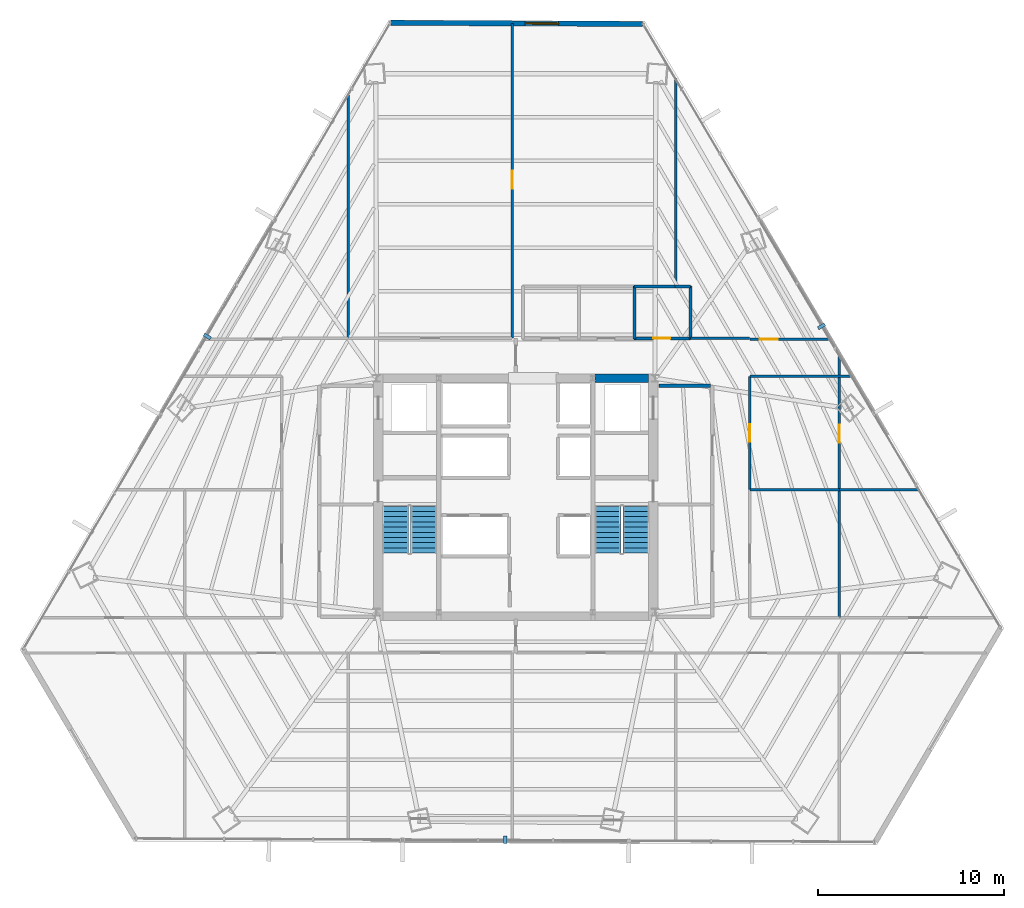
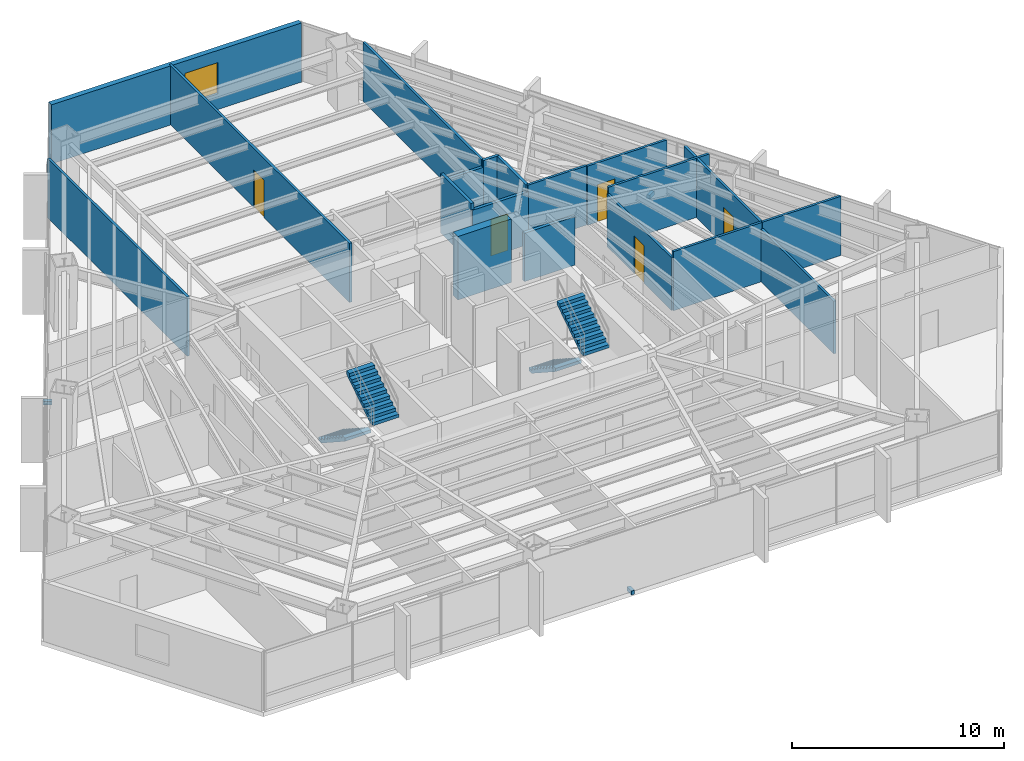
# One storey, part 32 of 35: 19 walls, 5 doors, 4 stair flights, 3 discrete accessories, 1 window, 6 openings, 2 elements without a shape of their own.
"""IFC4 building model written with IfcOpenShell, lengths in metres."""

from ifc_helpers import new_model, si_unit, direction, frame, frame_2d, origin, origin_2d, place, context, subcontext, project, spatial, polyline, rectangle, outline, extrude, source, transform, mapped, material, layer, layer_set, type_object, type_shapes, element, fill, aggregate, save


model = new_model("IFC4")

# Units and contexts
model_context = context("Model", 3, precision=1e-05, world=origin(), true_north=direction((0.0, 1.0)))
body_context = subcontext(model_context, "Body", "Model", "MODEL_VIEW")
ifc_project = project(units=[si_unit("LENGTHUNIT", "METRE"), si_unit("AREAUNIT", "SQUARE_METRE"), si_unit("VOLUMEUNIT", "CUBIC_METRE"), si_unit("PLANEANGLEUNIT", "RADIAN"), si_unit("MASSUNIT", "GRAM", prefix="KILO")], contexts=[model_context])

# Site, building, storey
site_placement = place(None, origin())
site = spatial("IfcSite", under=ifc_project, at=site_placement, CompositionType="ELEMENT")
building_placement = place(site_placement, origin())
building = spatial("IfcBuilding", under=site, at=building_placement, Name="Caelisora Broadcast Tower", CompositionType="ELEMENT")
storey_placement = place(building_placement, frame((0.0, 0.0, 98.10009765625)))
storey = spatial("IfcBuildingStorey", under=building, at=storey_placement, Name="L25", CompositionType="ELEMENT", Elevation=98.10009765625)

# Wall
ifc_material_1 = material(Name="Concrete 50 MPa (AS 3600 S50)", Category="concrete")
ifc_layer_1 = layer(ifc_material_1, 0.449951171875, Name="Concrete 50 MPa (AS 3600 S50)")
ifc_layer_set_1 = layer_set([ifc_layer_1], Name="Concrete 50 MPa (AS 3600 S50)")
wall_type_1 = type_object("IfcWallType", Name="CW5", PredefinedType="SHEAR", material=ifc_layer_set_1)
wall_1_placement = place(storey_placement, frame((42.260009765625, 30.0, 0.0), z_axis=(0.0, 0.0, 1.0), x_axis=(1.0, 0.0, 0.0)))
element("IfcWall", 1, at=wall_1_placement, inside=storey, type_object=wall_type_1, Name="L25 core shear wall CW5", PredefinedType="SHEAR", context=body_context, shape_type="SweptSolid", body=[
    extrude(rectangle(XDim=2.89990234375, YDim=0.449951171875, at=frame_2d((1.449951171875, 0.0))), origin(), (0.0, 0.0, 1.0), 3.64990234375),
])

# Wall, opening, window
ifc_material_2 = material(Name="Insulated Terracotta Spandrel Wall System", Category="masonry")
ifc_layer_2 = layer(ifc_material_2, 0.280029296875, Name="Insulated Terracotta Spandrel Wall System")
ifc_layer_set_2 = layer_set([ifc_layer_2], Name="Insulated Terracotta Spandrel Wall System")
wall_type_2 = type_object("IfcWallType", Name="EW1", PredefinedType="STANDARD", material=ifc_layer_set_2)
wall_2_placement = place(storey_placement, frame((31.27587890625, 49.14697265625, 0.0), z_axis=(0.0, 0.0, 1.0), x_axis=(0.999989206879, -0.004646087077, 0.0)))
wall_2 = element("IfcWall", 2, at=wall_2_placement, inside=storey, type_object=wall_type_2, Name="L25 exterior envelope wall EW1", PredefinedType="STANDARD", context=body_context, shape_type="SweptSolid", body=[
    extrude(rectangle(XDim=13.557373046875, YDim=0.280029296875, at=frame_2d((6.77880859375, 0.0))), origin(), (0.0, 0.0, 1.0), 3.39990234375),
])
opening_1_placement = place(wall_2_placement, frame((7.22998046875, 0.0, 0.89990234375)))
opening_1 = element("IfcOpeningElement", 3, at=opening_1_placement, cuts=wall_2, Name="Opening W01", PredefinedType="OPENING", context=body_context, shape_type="SweptSolid", body=[
    extrude(rectangle(XDim=1.800048828125, YDim=1.800048828125, at=frame_2d((0.89990234375, 0.89990234375))), frame((0.0, 0.152099609375, 0.0), z_axis=(0.0, -1.0, 0.0), x_axis=(1.0, 0.0, 0.0)), (0.0, 0.0, 1.0), 0.303955078125),
])
ifc_material_3 = material(Name="Double Glazed Terracotta-Framed Vision Window", Category="glass")
window_type = type_object("IfcWindowType", Name="W01", PartitioningType="SINGLE_PANEL", PredefinedType="WINDOW", material=ifc_material_3)
window_placement = place(opening_1_placement, origin())
window = element("IfcWindow", 4, at=window_placement, inside=storey, type_object=window_type, Name="L25 window W01 (L25-WN-CH8)", OverallHeight=1.800048828125, OverallWidth=1.800048828125, PartitioningType="SINGLE_PANEL", PredefinedType="WINDOW", context=body_context, shape_type="SweptSolid", body=[
    extrude(rectangle(XDim=1.800048828125, YDim=1.800048828125, at=frame_2d((0.89990234375, 0.89990234375))), frame((0.0, 0.030029296875, 0.0), z_axis=(0.0, -1.0, 0.0), x_axis=(1.0, 0.0, 0.0)), (0.0, 0.0, 1.0), 0.06005859375),
])
fill(opening_1, window)

# Wall
ifc_material_4 = material(Name="Fire-Rated Gypsum Shaft and Compartment Wall", Category="gypsum")
ifc_layer_3 = layer(ifc_material_4, 0.179931640625, Name="Fire-Rated Gypsum Shaft and Compartment Wall")
ifc_layer_set_3 = layer_set([ifc_layer_3], Name="Fire-Rated Gypsum Shaft and Compartment Wall")
wall_type_3 = type_object("IfcWallType", Name="PW2", PredefinedType="PARTITIONING", material=ifc_layer_set_3)
wall_3_placement = place(storey_placement, frame((45.719970703125, 29.60009765625, 0.0), z_axis=(0.0, 0.0, 1.0), x_axis=(1.0, 0.0, 0.0)))
element("IfcWall", 5, at=wall_3_placement, inside=storey, type_object=wall_type_3, Name="L25 fire compartment wall PW2", PredefinedType="PARTITIONING", context=body_context, shape_type="SweptSolid", body=[
    extrude(rectangle(XDim=2.760009765625, YDim=0.179931640625, at=frame_2d((1.3798828125, 0.0))), origin(), (0.0, 0.0, 1.0), 2.78271484375),
])

# Wall, opening, door
ifc_material_5 = material(Name="Acoustic Steel-Stud Plasterboard Partition", Category="gypsum")
ifc_layer_4 = layer(ifc_material_5, 0.1298828125, Name="Acoustic Steel-Stud Plasterboard Partition")
ifc_layer_set_4 = layer_set([ifc_layer_4], Name="Acoustic Steel-Stud Plasterboard Partition")
wall_type_4 = type_object("IfcWallType", Name="PW3", PredefinedType="PARTITIONING", material=ifc_layer_set_4)
wall_4_placement = place(storey_placement, frame((37.800048828125, 32.155029296875, 0.0), z_axis=(0.0, 0.0, 1.0), x_axis=(0.0, 1.0, 0.0)))
wall_4 = element("IfcWall", 6, at=wall_4_placement, inside=storey, type_object=wall_type_4, Name="L25 internal partition PW3", PredefinedType="PARTITIONING", context=body_context, shape_type="SweptSolid", body=[
    extrude(rectangle(XDim=16.966552734375, YDim=0.1298828125, at=frame_2d((8.4833984375, 0.0))), origin(), (0.0, 0.0, 1.0), 3.39990234375),
])
opening_2_placement = place(wall_4_placement, frame((8.052001953125, 0.0, 0.0)))
opening_2 = element("IfcOpeningElement", 7, at=opening_2_placement, cuts=wall_4, Name="Opening D01", PredefinedType="OPENING", context=body_context, shape_type="SweptSolid", body=[
    extrude(rectangle(XDim=0.9599609375, YDim=2.14990234375, at=frame_2d((0.47998046875, 1.074951171875))), frame((0.0, 0.076904296875, 0.0), z_axis=(0.0, -1.0, 0.0), x_axis=(1.0, 0.0, 0.0)), (0.0, 0.0, 1.0), 0.15380859375),
])
ifc_material_6 = material(Name="Solid-Core Timber Acoustic Office Door", Category="wood")
door_type_1 = type_object("IfcDoorType", Name="D01", OperationType="NOTDEFINED", PredefinedType="DOOR", material=ifc_material_6)
door_1_placement = place(opening_2_placement, origin())
door_1 = element("IfcDoor", 8, at=door_1_placement, inside=storey, type_object=door_type_1, Name="L25 door D01 (L25-DR-P27D1)", OperationType="SINGLE_SWING_RIGHT", OverallHeight=2.14990234375, OverallWidth=0.9599609375, PredefinedType="DOOR", context=body_context, shape_type="SweptSolid", body=[
    extrude(rectangle(XDim=0.9599609375, YDim=2.14990234375, at=frame_2d((0.47998046875, 1.074951171875))), frame((0.0, 0.02490234375, 0.0), z_axis=(0.0, -1.0, 0.0), x_axis=(1.0, 0.0, 0.0)), (0.0, 0.0, 1.0), 0.050048828125),
])
fill(opening_2, door_1)

# Walls
wall_5_placement = place(storey_placement, frame((28.97998046875, 32.155029296875, 0.0), z_axis=(0.0, 0.0, 1.0), x_axis=(0.0, 1.0, 0.0)))
element("IfcWall", 9, at=wall_5_placement, inside=storey, type_object=wall_type_4, Name="L25 internal partition PW3", PredefinedType="PARTITIONING", context=body_context, shape_type="SweptSolid", body=[
    extrude(rectangle(XDim=13.1337890625, YDim=0.1298828125, at=frame_2d((6.56689453125, 0.0))), origin(), (0.0, 0.0, 1.0), 3.39990234375),
])
wall_6_placement = place(storey_placement, frame((46.610107421875, 34.955078125, 0.0), z_axis=(0.0, 0.0, 1.0), x_axis=(0.0, 1.0, 0.0)))
element("IfcWall", 10, at=wall_6_placement, inside=storey, type_object=wall_type_4, Name="L25 internal partition PW3", PredefinedType="PARTITIONING", context=body_context, shape_type="SweptSolid", body=[
    extrude(rectangle(XDim=11.188232421875, YDim=0.1298828125, at=frame_2d((5.59423828125, 0.0))), origin(), (0.0, 0.0, 1.0), 3.39990234375),
])
wall_7_placement = place(storey_placement, frame((55.429931640625, 17.10498046875, 0.0), z_axis=(0.0, 0.0, 1.0), x_axis=(0.0, 1.0, 0.0)))
element("IfcWall", 11, at=wall_7_placement, inside=storey, type_object=wall_type_4, Name="L25 internal partition PW3", PredefinedType="PARTITIONING", context=body_context, shape_type="SweptSolid", body=[
    extrude(rectangle(XDim=6.89013671875, YDim=0.1298828125, at=frame_2d((3.445068359375, 0.0))), origin(), (0.0, 0.0, 1.0), 3.0263671875),
])

# Wall, opening, door
wall_8_placement = place(storey_placement, frame((50.60009765625, 24.0048828125, 0.0), z_axis=(0.0, 0.0, 1.0), x_axis=(0.0, 1.0, 0.0)))
wall_8 = element("IfcWall", 12, at=wall_8_placement, inside=storey, type_object=wall_type_4, Name="L25 internal partition PW3", PredefinedType="PARTITIONING", context=body_context, shape_type="SweptSolid", body=[
    extrude(rectangle(XDim=6.090087890625, YDim=0.1298828125, at=frame_2d((3.044921875, 0.0))), origin(), (0.0, 0.0, 1.0), 3.0263671875),
])
opening_3_placement = place(wall_8_placement, frame((2.56494140625, 0.0, 0.0)))
opening_3 = element("IfcOpeningElement", 13, at=opening_3_placement, cuts=wall_8, Name="Opening D01", PredefinedType="OPENING", context=body_context, shape_type="SweptSolid", body=[
    extrude(rectangle(XDim=0.9599609375, YDim=2.14990234375, at=frame_2d((0.47998046875, 1.074951171875))), frame((0.0, 0.076904296875, 0.0), z_axis=(0.0, -1.0, 0.0), x_axis=(1.0, 0.0, 0.0)), (0.0, 0.0, 1.0), 0.15380859375),
])
door_2_placement = place(opening_3_placement, origin())
door_2 = element("IfcDoor", 14, at=door_2_placement, inside=storey, type_object=door_type_1, Name="L25 door D01 (L25-DR-P49D1)", OperationType="SINGLE_SWING_LEFT", OverallHeight=2.14990234375, OverallWidth=0.9599609375, PredefinedType="DOOR", context=body_context, shape_type="SweptSolid", body=[
    extrude(rectangle(XDim=0.9599609375, YDim=2.14990234375, at=frame_2d((0.47998046875, 1.074951171875))), frame((0.0, 0.02490234375, 0.0), z_axis=(0.0, -1.0, 0.0), x_axis=(1.0, 0.0, 0.0)), (0.0, 0.0, 1.0), 0.050048828125),
])
fill(opening_3, door_2)

wall_9_placement = place(storey_placement, frame((55.429931640625, 24.0048828125, 0.0), z_axis=(0.0, 0.0, 1.0), x_axis=(0.0, 1.0, 0.0)))
wall_9 = element("IfcWall", 15, at=wall_9_placement, inside=storey, type_object=wall_type_4, Name="L25 internal partition PW3", PredefinedType="PARTITIONING", context=body_context, shape_type="SweptSolid", body=[
    extrude(rectangle(XDim=7.2080078125, YDim=0.1298828125, at=frame_2d((3.60400390625, 0.0))), origin(), (0.0, 0.0, 1.0), 3.39990234375),
])
opening_4_placement = place(wall_9_placement, frame((2.52001953125, 0.0, 0.0)))
opening_4 = element("IfcOpeningElement", 16, at=opening_4_placement, cuts=wall_9, Name="Opening D01", PredefinedType="OPENING", context=body_context, shape_type="SweptSolid", body=[
    extrude(rectangle(XDim=0.9599609375, YDim=2.14990234375, at=frame_2d((0.47998046875, 1.074951171875))), frame((0.0, 0.076904296875, 0.0), z_axis=(0.0, -1.0, 0.0), x_axis=(1.0, 0.0, 0.0)), (0.0, 0.0, 1.0), 0.15380859375),
])
door_3_placement = place(opening_4_placement, origin())
door_3 = element("IfcDoor", 17, at=door_3_placement, inside=storey, type_object=door_type_1, Name="L25 door D01 (L25-DR-P50D1)", OperationType="SINGLE_SWING_RIGHT", OverallHeight=2.14990234375, OverallWidth=0.9599609375, PredefinedType="DOOR", context=body_context, shape_type="SweptSolid", body=[
    extrude(rectangle(XDim=0.9599609375, YDim=2.14990234375, at=frame_2d((0.47998046875, 1.074951171875))), frame((0.0, 0.02490234375, 0.0), z_axis=(0.0, -1.0, 0.0), x_axis=(1.0, 0.0, 0.0)), (0.0, 0.0, 1.0), 0.050048828125),
])
fill(opening_4, door_3)

# Walls
wall_10_placement = place(storey_placement, frame((50.60498046875, 30.10009765625, 0.0), z_axis=(0.0, 0.0, 1.0), x_axis=(1.0, 0.0, 0.0)))
element("IfcWall", 18, at=wall_10_placement, inside=storey, type_object=wall_type_4, Name="L25 internal partition PW3", PredefinedType="PARTITIONING", context=body_context, shape_type="SweptSolid", body=[
    extrude(rectangle(XDim=5.4755859375, YDim=0.1298828125, at=frame_2d((2.73779296875, 0.0))), origin(), (0.0, 0.0, 1.0), 3.39990234375),
])
wall_11_placement = place(storey_placement, frame((50.60498046875, 24.0, 0.0), z_axis=(0.0, 0.0, 1.0), x_axis=(1.0, 0.0, 0.0)))
element("IfcWall", 19, at=wall_11_placement, inside=storey, type_object=wall_type_4, Name="L25 internal partition PW3", PredefinedType="PARTITIONING", context=body_context, shape_type="SweptSolid", body=[
    extrude(rectangle(XDim=4.820068359375, YDim=0.1298828125, at=frame_2d((2.41015625, 0.0))), origin(), (0.0, 0.0, 1.0), 3.39990234375),
])

# Wall, opening, door
wall_12_placement = place(storey_placement, frame((50.60498046875, 32.10009765625, 0.0), z_axis=(0.0, 0.0, 1.0), x_axis=(1.0, 0.0, 0.0)))
wall_12 = element("IfcWall", 20, at=wall_12_placement, inside=storey, type_object=wall_type_4, Name="L25 internal partition PW3", PredefinedType="PARTITIONING", context=body_context, shape_type="SweptSolid", body=[
    extrude(rectangle(XDim=4.317626953125, YDim=0.1298828125, at=frame_2d((2.15869140625, 0.0))), origin(), (0.0, 0.0, 1.0), 3.39990234375),
])
opening_5_placement = place(wall_12_placement, frame((0.5400390625, 0.0, 0.0)))
opening_5 = element("IfcOpeningElement", 21, at=opening_5_placement, cuts=wall_12, Name="Opening D01", PredefinedType="OPENING", context=body_context, shape_type="SweptSolid", body=[
    extrude(rectangle(XDim=0.9599609375, YDim=2.14990234375, at=frame_2d((0.47998046875, 1.074951171875))), frame((0.0, 0.076904296875, 0.0), z_axis=(0.0, -1.0, 0.0), x_axis=(1.0, 0.0, 0.0)), (0.0, 0.0, 1.0), 0.15380859375),
])
door_4_placement = place(opening_5_placement, origin())
door_4 = element("IfcDoor", 22, at=door_4_placement, inside=storey, type_object=door_type_1, Name="L25 door D01 (L25-DR-P57D1)", OperationType="SINGLE_SWING_LEFT", OverallHeight=2.14990234375, OverallWidth=0.9599609375, PredefinedType="DOOR", context=body_context, shape_type="SweptSolid", body=[
    extrude(rectangle(XDim=0.9599609375, YDim=2.14990234375, at=frame_2d((0.47998046875, 1.074951171875))), frame((0.0, 0.02490234375, 0.0), z_axis=(0.0, -1.0, 0.0), x_axis=(1.0, 0.0, 0.0)), (0.0, 0.0, 1.0), 0.050048828125),
])
fill(opening_5, door_4)

# Walls
wall_13_placement = place(storey_placement, frame((55.43505859375, 24.0, 0.0), z_axis=(0.0, 0.0, 1.0), x_axis=(1.0, 0.0, 0.0)))
element("IfcWall", 23, at=wall_13_placement, inside=storey, type_object=wall_type_4, Name="L25 internal partition PW3", PredefinedType="PARTITIONING", context=body_context, shape_type="SweptSolid", body=[
    extrude(rectangle(XDim=4.281982421875, YDim=0.1298828125, at=frame_2d((2.14111328125, 0.0))), origin(), (0.0, 0.0, 1.0), 3.39990234375),
])
wall_14_placement = place(storey_placement, frame((47.405029296875, 32.14990234375, 0.0), z_axis=(0.0, 0.0, 1.0), x_axis=(1.0, 0.0, 0.0)))
element("IfcWall", 24, at=wall_14_placement, inside=storey, type_object=wall_type_4, Name="L25 internal partition PW3", PredefinedType="PARTITIONING", context=body_context, shape_type="SweptSolid", body=[
    extrude(rectangle(XDim=3.18994140625, YDim=0.1298828125, at=frame_2d((1.594970703125, 0.0))), origin(), (0.0, 0.0, 1.0), 3.39990234375),
])

# Wall, opening, door
ifc_material_7 = material(Name="Moisture-Resistant Wet Plumbing Service Wall", Category="gypsum")
ifc_layer_5 = layer(ifc_material_7, 0.159912109375, Name="Moisture-Resistant Wet Plumbing Service Wall")
ifc_layer_set_5 = layer_set([ifc_layer_5], Name="Moisture-Resistant Wet Plumbing Service Wall")
wall_type_5 = type_object("IfcWallType", Name="PW4", PredefinedType="PLUMBINGWALL", material=ifc_layer_set_5)
wall_15_placement = place(storey_placement, frame((44.375, 32.14990234375, 0.0), z_axis=(0.0, 0.0, 1.0), x_axis=(1.0, 0.0, 0.0)))
wall_15 = element("IfcWall", 25, at=wall_15_placement, inside=storey, type_object=wall_type_5, Name="L25 wet plumbing wall PW4", PredefinedType="PLUMBINGWALL", context=body_context, shape_type="SweptSolid", body=[
    extrude(rectangle(XDim=3.050048828125, YDim=0.159912109375, at=frame_2d((1.52490234375, 0.0))), origin(), (0.0, 0.0, 1.0), 3.0263671875),
])
opening_6_placement = place(wall_15_placement, frame((1.034912109375, 0.0, 0.0)))
opening_6 = element("IfcOpeningElement", 26, at=opening_6_placement, cuts=wall_15, Name="Opening D03", PredefinedType="OPENING", context=body_context, shape_type="SweptSolid", body=[
    extrude(rectangle(XDim=0.919921875, YDim=2.10009765625, at=frame_2d((0.4599609375, 1.050048828125))), frame((0.0, 0.092041015625, 0.0), z_axis=(0.0, -1.0, 0.0), x_axis=(1.0, 0.0, 0.0)), (0.0, 0.0, 1.0), 0.183837890625),
])
ifc_material_8 = material(Name="Laminate Moisture-Resistant Amenity WC Door", Category="wood")
door_type_2 = type_object("IfcDoorType", Name="D03", OperationType="NOTDEFINED", PredefinedType="DOOR", material=ifc_material_8)
door_5_placement = place(opening_6_placement, origin())
door_5 = element("IfcDoor", 27, at=door_5_placement, inside=storey, type_object=door_type_2, Name="L25 door D03 (L25-DR-P18D1)", OperationType="SINGLE_SWING_LEFT", OverallHeight=2.10009765625, OverallWidth=0.919921875, PredefinedType="DOOR", context=body_context, shape_type="SweptSolid", body=[
    extrude(rectangle(XDim=0.919921875, YDim=2.10009765625, at=frame_2d((0.4599609375, 1.050048828125))), frame((0.0, 0.02490234375, 0.0), z_axis=(0.0, -1.0, 0.0), x_axis=(1.0, 0.0, 0.0)), (0.0, 0.0, 1.0), 0.050048828125),
])
fill(opening_6, door_5)

# Walls
for number, where, z_axis, x_axis, name in (
    (28, (44.39990234375, 32.125, 0.0), (0.0, 0.0, 1.0), (0.0, 1.0, 0.0), "L25 wet plumbing wall PW4"),
    (29, (47.39990234375, 32.125, 0.0), (0.0, 0.0, 1.0), (0.0, 1.0, 0.0), "L25 wet plumbing wall PW4"),
):
    element("IfcWall", number, at=place(storey_placement, frame(where, z_axis=z_axis, x_axis=x_axis)), inside=storey, type_object=wall_type_5, Name=name, PredefinedType="PLUMBINGWALL", context=body_context, shape_type="SweptSolid", body=[
        extrude(rectangle(XDim=2.85009765625, YDim=0.159912109375, at=frame_2d((1.425048828125, 0.0))), origin(), (0.0, 0.0, 1.0), 3.39990234375),
    ])
wall_16_placement = place(storey_placement, frame((44.375, 34.949951171875, 0.0), z_axis=(0.0, 0.0, 1.0), x_axis=(1.0, 0.0, 0.0)))
element("IfcWall", 30, at=wall_16_placement, inside=storey, type_object=wall_type_5, Name="L25 wet plumbing wall PW4", PredefinedType="PLUMBINGWALL", context=body_context, shape_type="SweptSolid", body=[
    extrude(rectangle(XDim=2.260009765625, YDim=0.159912109375, at=frame_2d((1.1298828125, 0.0))), origin(), (0.0, 0.0, 1.0), 3.0263671875),
])
wall_17_placement = place(storey_placement, frame((47.425048828125, 34.949951171875, 0.0), z_axis=(0.0, 0.0, 1.0), x_axis=(-1.0, 0.0, 0.0)))
element("IfcWall", 31, at=wall_17_placement, inside=storey, type_object=wall_type_5, Name="L25 wet plumbing wall PW4", PredefinedType="PLUMBINGWALL", context=body_context, shape_type="SweptSolid", body=[
    extrude(rectangle(XDim=0.840087890625, YDim=0.159912109375, at=frame_2d((0.419921875, 0.0))), origin(), (0.0, 0.0, 1.0), 3.39990234375),
])

# Stair, stair flights
ifc_material_9 = material(Name="Concrete 40 MPa (AS 3600 N40)", Category="concrete")
stair_type_1 = type_object("IfcStairType", Name="ST-1", PredefinedType="HALF_TURN_STAIR", material=ifc_material_9)
stair_1_placement = place(storey_placement, origin())
stair_1 = element("IfcStair", 32, at=stair_1_placement, inside=storey, type_object=stair_type_1, Name="L25 West Fire-Isolated Tower Stair", PredefinedType="HALF_TURN_STAIR")
stair_flight_type = type_object("IfcStairFlightType", Name="STF-2", PredefinedType="STRAIGHT", material=ifc_material_9)
stair_flight_1_placement = place(storey_placement, frame((31.52001953125, 23.10009765625, 0.0), z_axis=(0.0, 0.0, 1.0), x_axis=(0.0, -1.0, 0.0)))
stair_flight_1 = element("IfcStairFlight", 33, at=stair_flight_1_placement, type_object=stair_flight_type, Name="ST-1 flight 1", NumberOfRisers=10, NumberOfTreads=9, PredefinedType="STRAIGHT", RiserHeight=0.1825, TreadLength=0.28, context=body_context, shape_type="SweptSolid", body=[
    extrude(outline(polyline([(0.0, 0.0), (0.0, 0.1826171875), (0.280029296875, 0.1826171875), (0.280029296875, 0.364990234375), (0.56005859375, 0.364990234375), (0.56005859375, 0.547607421875), (0.840087890625, 0.547607421875), (0.840087890625, 0.72998046875), (1.1201171875, 0.72998046875), (1.1201171875, 0.91259765625), (1.39990234375, 0.91259765625), (1.39990234375, 1.094970703125), (1.679931640625, 1.094970703125), (1.679931640625, 1.277587890625), (1.9599609375, 1.277587890625), (1.9599609375, 1.4599609375), (2.239990234375, 1.4599609375), (2.239990234375, 1.642578125), (2.52001953125, 1.642578125), (2.52001953125, 1.824951171875), (2.52001953125, 1.463623046875), (0.2744140625, 0.0), (0.0, 0.0)])), frame((0.0, 0.699951171875, 0.0), z_axis=(0.0, -1.0, 0.0), x_axis=(1.0, 0.0, 0.0)), (0.0, 0.0, 1.0), 1.39990234375),
])
stair_flight_2_placement = place(storey_placement, frame((33.0400390625, 20.580078125, 1.824951171875), z_axis=(0.0, 0.0, 1.0), x_axis=(0.0, 1.0, 0.0)))
stair_flight_2 = element("IfcStairFlight", 34, at=stair_flight_2_placement, type_object=stair_flight_type, Name="ST-1 flight 2", NumberOfRisers=10, NumberOfTreads=9, PredefinedType="STRAIGHT", RiserHeight=0.1825, TreadLength=0.28, context=body_context, shape_type="SweptSolid", body=[
    extrude(outline(polyline([(0.0, 0.0), (0.0, 0.1826171875), (0.280029296875, 0.1826171875), (0.280029296875, 0.364990234375), (0.56005859375, 0.364990234375), (0.56005859375, 0.547607421875), (0.840087890625, 0.547607421875), (0.840087890625, 0.72998046875), (1.1201171875, 0.72998046875), (1.1201171875, 0.91259765625), (1.39990234375, 0.91259765625), (1.39990234375, 1.094970703125), (1.679931640625, 1.094970703125), (1.679931640625, 1.277587890625), (1.9599609375, 1.277587890625), (1.9599609375, 1.4599609375), (2.239990234375, 1.4599609375), (2.239990234375, 1.642578125), (2.52001953125, 1.642578125), (2.52001953125, 1.824951171875), (2.52001953125, 1.463623046875), (0.2744140625, 0.0), (0.0, 0.0)])), frame((0.0, 0.699951171875, 0.0), z_axis=(0.0, -1.0, 0.0), x_axis=(1.0, 0.0, 0.0)), (0.0, 0.0, 1.0), 1.39990234375),
])
aggregate(stair_1, [stair_flight_1, stair_flight_2])

stair_type_2 = type_object("IfcStairType", Name="ST-2", PredefinedType="HALF_TURN_STAIR", material=ifc_material_9)
stair_2_placement = place(storey_placement, origin())
stair_2 = element("IfcStair", 35, at=stair_2_placement, inside=storey, type_object=stair_type_2, Name="L25 East Fire-Isolated Tower Stair", PredefinedType="HALF_TURN_STAIR")
stair_flight_3_placement = place(storey_placement, frame((42.9599609375, 23.10009765625, 0.0), z_axis=(0.0, 0.0, 1.0), x_axis=(0.0, -1.0, 0.0)))
stair_flight_3 = element("IfcStairFlight", 36, at=stair_flight_3_placement, type_object=stair_flight_type, Name="ST-2 flight 1", NumberOfRisers=10, NumberOfTreads=9, PredefinedType="STRAIGHT", RiserHeight=0.1825, TreadLength=0.28, context=body_context, shape_type="SweptSolid", body=[
    extrude(outline(polyline([(0.0, 0.0), (0.0, 0.1826171875), (0.280029296875, 0.1826171875), (0.280029296875, 0.364990234375), (0.56005859375, 0.364990234375), (0.56005859375, 0.547607421875), (0.840087890625, 0.547607421875), (0.840087890625, 0.72998046875), (1.1201171875, 0.72998046875), (1.1201171875, 0.91259765625), (1.39990234375, 0.91259765625), (1.39990234375, 1.094970703125), (1.679931640625, 1.094970703125), (1.679931640625, 1.277587890625), (1.9599609375, 1.277587890625), (1.9599609375, 1.4599609375), (2.239990234375, 1.4599609375), (2.239990234375, 1.642578125), (2.52001953125, 1.642578125), (2.52001953125, 1.824951171875), (2.52001953125, 1.463623046875), (0.2744140625, 0.0), (0.0, 0.0)])), frame((0.0, 0.699951171875, 0.0), z_axis=(0.0, -1.0, 0.0), x_axis=(1.0, 0.0, 0.0)), (0.0, 0.0, 1.0), 1.39990234375),
])
stair_flight_4_placement = place(storey_placement, frame((44.47998046875, 20.580078125, 1.824951171875), z_axis=(0.0, 0.0, 1.0), x_axis=(0.0, 1.0, 0.0)))
stair_flight_4 = element("IfcStairFlight", 37, at=stair_flight_4_placement, type_object=stair_flight_type, Name="ST-2 flight 2", NumberOfRisers=10, NumberOfTreads=9, PredefinedType="STRAIGHT", RiserHeight=0.1825, TreadLength=0.28, context=body_context, shape_type="SweptSolid", body=[
    extrude(outline(polyline([(0.0, 0.0), (0.0, 0.1826171875), (0.280029296875, 0.1826171875), (0.280029296875, 0.364990234375), (0.56005859375, 0.364990234375), (0.56005859375, 0.547607421875), (0.840087890625, 0.547607421875), (0.840087890625, 0.72998046875), (1.1201171875, 0.72998046875), (1.1201171875, 0.91259765625), (1.39990234375, 0.91259765625), (1.39990234375, 1.094970703125), (1.679931640625, 1.094970703125), (1.679931640625, 1.277587890625), (1.9599609375, 1.277587890625), (1.9599609375, 1.4599609375), (2.239990234375, 1.4599609375), (2.239990234375, 1.642578125), (2.52001953125, 1.642578125), (2.52001953125, 1.824951171875), (2.52001953125, 1.463623046875), (0.2744140625, 0.0), (0.0, 0.0)])), frame((0.0, 0.699951171875, 0.0), z_axis=(0.0, -1.0, 0.0), x_axis=(1.0, 0.0, 0.0)), (0.0, 0.0, 1.0), 1.39990234375),
])
aggregate(stair_2, [stair_flight_3, stair_flight_4])

# Discrete accessories
ifc_material_10 = material(Name="Steel Grade 350 (AS/NZS 3679.1)", Category="steel")
discrete_accessory_type = type_object("IfcDiscreteAccessoryType", Name="BRK-1", PredefinedType="BRACKET", material=ifc_material_10)
shared_shape = source(origin(), body_context, "Body", "SweptSolid", [
    extrude(rectangle(XDim=0.179931640625, YDim=0.419921875, at=origin_2d()), origin(), (0.0, 0.0, 1.0), 0.219970703125),
])
type_shapes(discrete_accessory_type, [shared_shape])
for number, where, z_axis, x_axis, name in (
    (38, (21.38232421875, 32.24951171875, -0.16015625), (0.0, 0.0, 1.0), (-0.505431492718, -0.862866737202, 0.0), "L25 solar screen outrigger bracket #1"),
    (39, (37.435302734375, 5.137939453125, -0.16015625), (0.0, 0.0, 1.0), (0.999989703949, -0.004537840481, 0.0), "L25 solar screen outrigger bracket #2"),
    (40, (54.468994140625, 32.79736328125, -0.16015625), (0.0, 0.0, 1.0), (-0.509341840379, 0.860564285593, 0.0), "L25 solar screen outrigger bracket #3"),
):
    element("IfcDiscreteAccessory", number, at=place(storey_placement, frame(where, z_axis=z_axis, x_axis=x_axis)), inside=storey, type_object=discrete_accessory_type, Name=name, PredefinedType="BRACKET", context=body_context, shape_type="MappedRepresentation", body=[
        mapped(shared_shape, transform((0.0, 0.0, 0.0), scale=1.0)),
    ])

save(model, "model.ifc")
